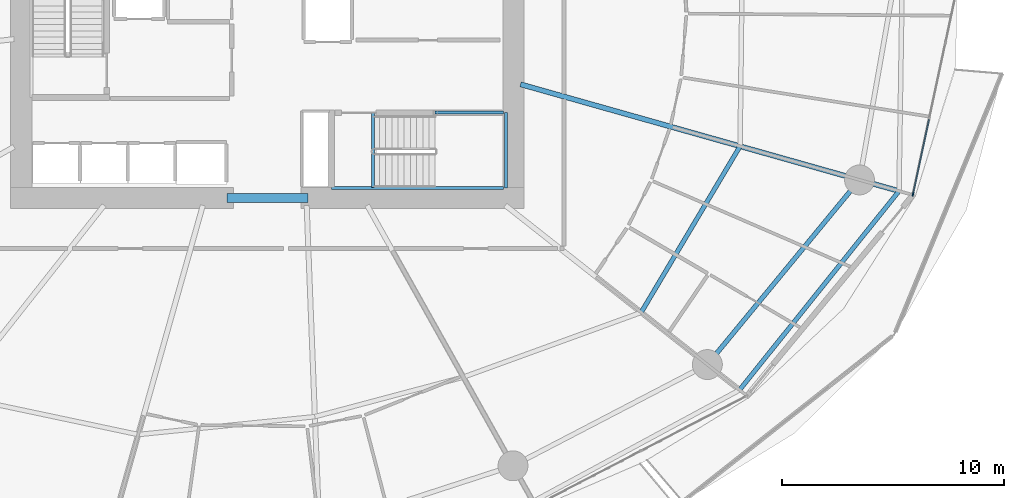
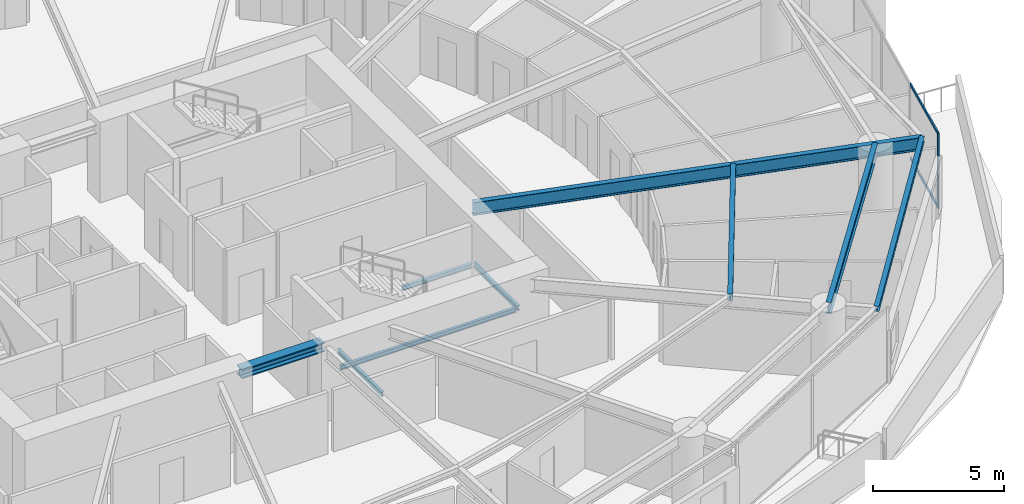
# One storey, part 10 of 32: 9 beams, 3 members, 1 element without a shape of its own.
"""IFC4 building model written with IfcOpenShell, lengths in metres."""

from ifc_helpers import new_model, si_unit, direction, frame, origin, origin_2d, place, context, subcontext, project, spatial, rectangle, i_section, extrude, material, layer, layer_set, material_profile, profile_set, type_object, element, aggregate, save


model = new_model("IFC4")

# Units and contexts
model_context = context("Model", 3, precision=1e-05, world=origin(), true_north=direction((0.0, 1.0)))
body_context = subcontext(model_context, "Body", "Model", "MODEL_VIEW")
ifc_project = project(units=[si_unit("LENGTHUNIT", "METRE"), si_unit("AREAUNIT", "SQUARE_METRE"), si_unit("VOLUMEUNIT", "CUBIC_METRE"), si_unit("PLANEANGLEUNIT", "RADIAN"), si_unit("MASSUNIT", "GRAM", prefix="KILO")], contexts=[model_context])

# Site, building, storey
site_placement = place(None, origin())
site = spatial("IfcSite", under=ifc_project, at=site_placement, CompositionType="ELEMENT")
building_placement = place(site_placement, origin())
building = spatial("IfcBuilding", under=site, at=building_placement, Name="Kazma Halo Residences", CompositionType="ELEMENT")
storey_placement = place(building_placement, frame((0.0, 0.0, 63.89990234375)))
storey = spatial("IfcBuildingStorey", under=building, at=storey_placement, Name="L15", CompositionType="ELEMENT", Elevation=63.89990234375)

# Beams
ifc_material_1 = material(Name="Steel S355", Category="steel")
ifc_material_profile_1 = material_profile(ifc_material_1, i_section(OverallWidth=0.201904296875, OverallDepth=0.2470703125, WebThickness=0.00732421875, FlangeThickness=0.010986328125, FilletRadius=0.011962890625, at=origin_2d()), Name="W250x49.1")
ifc_profile_set_1 = profile_set([ifc_material_profile_1], Name="Steel S355")
beam_type_1 = type_object("IfcBeamType", Name="BM-BAL-CANT", PredefinedType="BEAM", material=ifc_profile_set_1)
beam_1_placement = place(storey_placement, frame((69.728515625, 24.87060546875, 3.376708984375), z_axis=(0.625476617708, 0.780242911343, 0.0), x_axis=(-0.780242911343, 0.625476617708, 0.0)))
element("IfcBeam", 1, at=beam_1_placement, inside=storey, type_object=beam_type_1, Name="L15 wave-balcony tie beam 14", PredefinedType="BEAM", context=body_context, shape_type="SweptSolid", body=[
    extrude(i_section(OverallWidth=0.201904296875, OverallDepth=0.2470703125, WebThickness=0.00732421875, FlangeThickness=0.010986328125, FilletRadius=0.011962890625, at=origin_2d()), origin(), (0.0, 0.0, 1.0), 11.499755859375),
])
ifc_material_profile_2 = material_profile(ifc_material_1, i_section(OverallWidth=0.408935546875, OverallDepth=0.425048828125, WebThickness=0.03271484375, FlangeThickness=0.052490234375, FilletRadius=0.02001953125, at=origin_2d()), Name="W360x421")
ifc_profile_set_2 = profile_set([ifc_material_profile_2], Name="Steel S355")
beam_type_2 = type_object("IfcBeamType", Name="BM-CORE-W360H", PredefinedType="BEAM", material=ifc_profile_set_2)
beam_2_placement = place(storey_placement, frame((46.60009765625, 33.52490234375, 3.28759765625), z_axis=(1.0, 0.0, 0.0), x_axis=(0.0, 1.0, 0.0)))
element("IfcBeam", 2, at=beam_2_placement, inside=storey, type_object=beam_type_2, Name="L15 core coupling beam S", PredefinedType="BEAM", context=body_context, shape_type="SweptSolid", body=[
    extrude(i_section(OverallWidth=0.408935546875, OverallDepth=0.425048828125, WebThickness=0.03271484375, FlangeThickness=0.052490234375, FilletRadius=0.02001953125, at=origin_2d()), origin(), (0.0, 0.0, 1.0), 3.64990234375),
])
ifc_material_profile_3 = material_profile(ifc_material_1, i_section(OverallWidth=0.22802734375, OverallDepth=0.60791015625, WebThickness=0.01123046875, FlangeThickness=0.017333984375, FilletRadius=0.01806640625, at=origin_2d()), Name="W610x113")
ifc_profile_set_3 = profile_set([ifc_material_profile_3], Name="Steel S355")
beam_type_3 = type_object("IfcBeamType", Name="BM-RAD-W610", PredefinedType="BEAM", material=ifc_profile_set_3)
beam_3_placement = place(storey_placement, frame((59.85009765625, 38.657958984375, 3.196044921875), z_axis=(0.962453825278, -0.271445453468, 0.0), x_axis=(0.271445453468, 0.962453825278, 0.0)))
element("IfcBeam", 3, at=beam_3_placement, inside=storey, type_object=beam_type_3, Name="L15 radial floor beam 15", PredefinedType="BEAM", context=body_context, shape_type="SweptSolid", body=[
    extrude(i_section(OverallWidth=0.22802734375, OverallDepth=0.60791015625, WebThickness=0.01123046875, FlangeThickness=0.017333984375, FilletRadius=0.01806640625, at=origin_2d()), origin(), (0.0, 0.0, 1.0), 17.7373046875),
])
ifc_material_profile_4 = material_profile(ifc_material_1, i_section(OverallWidth=0.202880859375, OverallDepth=0.302978515625, WebThickness=0.007568359375, FlangeThickness=0.01318359375, FilletRadius=0.013916015625, at=origin_2d()), Name="W310x60")
ifc_profile_set_4 = profile_set([ifc_material_profile_4], Name="Steel S355")
beam_type_4 = type_object("IfcBeamType", Name="BM-SEC-W310A", PredefinedType="JOIST", material=ifc_profile_set_4)
beam_4_placement = place(storey_placement, frame((65.291015625, 28.368896484375, 3.3486328125), z_axis=(0.511331320511, 0.859383663252, 0.0), x_axis=(-0.859383663252, 0.511331320511, 0.0)))
element("IfcBeam", 4, at=beam_4_placement, inside=storey, type_object=beam_type_4, Name="L15 circumferential floor joist 14", PredefinedType="JOIST", context=body_context, shape_type="SweptSolid", body=[
    extrude(i_section(OverallWidth=0.202880859375, OverallDepth=0.302978515625, WebThickness=0.007568359375, FlangeThickness=0.01318359375, FilletRadius=0.013916015625, at=origin_2d()), origin(), (0.0, 0.0, 1.0), 8.72314453125),
])
ifc_material_profile_5 = material_profile(ifc_material_1, i_section(OverallWidth=0.208984375, OverallDepth=0.532958984375, WebThickness=0.01025390625, FlangeThickness=0.015625, FilletRadius=0.01611328125, at=origin_2d()), Name="W530x92")
ifc_profile_set_5 = profile_set([ifc_material_profile_5], Name="Steel S355")
beam_type_5 = type_object("IfcBeamType", Name="BM-SPN-W530", PredefinedType="BEAM", material=ifc_profile_set_5)
beam_5_placement = place(storey_placement, frame((68.27587890625, 26.015869140625, 3.233642578125), z_axis=(0.636001336663, 0.771687954916, 0.0), x_axis=(-0.771687954916, 0.636001336663, 0.0)))
element("IfcBeam", 5, at=beam_5_placement, inside=storey, type_object=beam_type_5, Name="L15 perimeter ring beam 14", PredefinedType="BEAM", context=body_context, shape_type="SweptSolid", body=[
    extrude(i_section(OverallWidth=0.208984375, OverallDepth=0.532958984375, WebThickness=0.01025390625, FlangeThickness=0.015625, FilletRadius=0.01611328125, at=origin_2d()), origin(), (0.0, 0.0, 1.0), 10.7939453125),
])
ifc_material_profile_6 = material_profile(ifc_material_1, i_section(OverallWidth=0.133056640625, OverallDepth=0.20703125, WebThickness=0.005859375, FlangeThickness=0.00830078125, FilletRadius=0.010009765625, at=origin_2d()), Name="W200x26.6")
ifc_profile_set_6 = profile_set([ifc_material_profile_6], Name="Steel S355")
beam_type_6 = type_object("IfcBeamType", Name="BM-TRIM-W200", PredefinedType="BEAM", material=ifc_profile_set_6)
beam_6_placement = place(storey_placement, frame((53.199951171875, 34.0, -0.35986328125), z_axis=(0.0, 1.0, 0.0), x_axis=(-1.0, 0.0, 0.0)))
element("IfcBeam", 6, at=beam_6_placement, inside=storey, type_object=beam_type_6, Name="L15 ST-03 floor landing support beam", PredefinedType="BEAM", context=body_context, shape_type="SweptSolid", body=[
    extrude(i_section(OverallWidth=0.133056640625, OverallDepth=0.20703125, WebThickness=0.005859375, FlangeThickness=0.00830078125, FilletRadius=0.010009765625, at=origin_2d()), origin(), (0.0, 0.0, 1.0), 3.3798828125),
])
beam_7_placement = place(storey_placement, frame((51.31005859375, 33.97998046875, 1.570068359375), z_axis=(1.0, 0.0, 0.0), x_axis=(0.0, 1.0, 0.0)))
element("IfcBeam", 7, at=beam_7_placement, inside=storey, type_object=beam_type_6, Name="L15 ST-03 landing south wall ledger", PredefinedType="BEAM", context=body_context, shape_type="SweptSolid", body=[
    extrude(i_section(OverallWidth=0.133056640625, OverallDepth=0.20703125, WebThickness=0.005859375, FlangeThickness=0.00830078125, FilletRadius=0.010009765625, at=origin_2d()), origin(), (0.0, 0.0, 1.0), 7.760009765625),
])
beam_8_placement = place(storey_placement, frame((56.0, 37.3798828125, 1.570068359375), z_axis=(1.0, 0.0, 0.0), x_axis=(0.0, 1.0, 0.0)))
element("IfcBeam", 8, at=beam_8_placement, inside=storey, type_object=beam_type_6, Name="L15 ST-03 landing north wall ledger", PredefinedType="BEAM", context=body_context, shape_type="SweptSolid", body=[
    extrude(i_section(OverallWidth=0.133056640625, OverallDepth=0.20703125, WebThickness=0.005859375, FlangeThickness=0.00830078125, FilletRadius=0.010009765625, at=origin_2d()), origin(), (0.0, 0.0, 1.0), 3.070068359375),
])
beam_9_placement = place(storey_placement, frame((59.18994140625, 33.97998046875, 1.570068359375), z_axis=(0.0, 1.0, 0.0), x_axis=(-1.0, 0.0, 0.0)))
element("IfcBeam", 9, at=beam_9_placement, inside=storey, type_object=beam_type_6, Name="L15 ST-03 landing end wall ledger", PredefinedType="BEAM", context=body_context, shape_type="SweptSolid", body=[
    extrude(i_section(OverallWidth=0.133056640625, OverallDepth=0.20703125, WebThickness=0.005859375, FlangeThickness=0.00830078125, FilletRadius=0.010009765625, at=origin_2d()), origin(), (0.0, 0.0, 1.0), 3.39990234375),
])

# Curtain wall, members
ifc_material_2 = material(Name="Aluminium AW-6063 T6 and Triple-Silver Low-E Glass", Category="aluminium")
ifc_layer = layer(ifc_material_2, 0.159912109375)
ifc_layer_set = layer_set([ifc_layer], Name="Aluminium AW-6063 T6 and Triple-Silver Low-E Glass")
curtain_wall_type = type_object("IfcCurtainWallType", Name="CW-SYS-2", PredefinedType="NOTDEFINED", material=ifc_layer_set)
curtain_wall_placement = place(storey_placement, origin())
curtain_wall = element("IfcCurtainWall", 10, at=curtain_wall_placement, inside=storey, type_object=curtain_wall_type, Name="L15 unitised curtain wall B15", PredefinedType="NOTDEFINED")
ifc_material_3 = material(Name="Aluminium AW-6063 T6", Category="aluminium")
ifc_material_profile_7 = material_profile(ifc_material_3, rectangle(XDim=0.06005859375, YDim=0.159912109375, at=origin_2d()), Name="CWM-60x160")
ifc_profile_set_7 = profile_set([ifc_material_profile_7], Name="Aluminium AW-6063 T6")
member_type_1 = type_object("IfcMemberType", Name="CW-SYS-2-MUL", PredefinedType="MULLION", material=ifc_profile_set_7)
member_1_placement = place(storey_placement, frame((77.552978515625, 33.6962890625, 0.0), z_axis=(0.0, 0.0, 1.0), x_axis=(-0.977779215096, 0.209637321406, 0.0)))
member_1 = element("IfcMember", 11, at=member_1_placement, type_object=member_type_1, Name="CWS-2 mullion 1", PredefinedType="MULLION", context=body_context, shape_type="SweptSolid", body=[
    extrude(rectangle(XDim=0.06005859375, YDim=0.159912109375, at=origin_2d()), origin(), (0.0, 0.0, 1.0), 3.5),
])
ifc_material_profile_8 = material_profile(ifc_material_3, rectangle(XDim=0.06005859375, YDim=0.1201171875, at=origin_2d()), Name="CWT-60x120")
ifc_profile_set_8 = profile_set([ifc_material_profile_8], Name="Aluminium AW-6063 T6")
member_type_2 = type_object("IfcMemberType", Name="CW-SYS-2-TRN", PredefinedType="USERDEFINED", material=ifc_profile_set_8)
member_2_placement = place(storey_placement, frame((77.559326171875, 33.7255859375, 0.030029296875), z_axis=(0.209650877007, 0.977776308657, 0.0), x_axis=(-0.977776308657, 0.209650877007, 0.0)))
member_2 = element("IfcMember", 12, at=member_2_placement, type_object=member_type_2, Name="CWS-2 transom 1.1", ObjectType="TRANSOM", PredefinedType="USERDEFINED", context=body_context, shape_type="SweptSolid", body=[
    extrude(rectangle(XDim=0.06005859375, YDim=0.1201171875, at=origin_2d()), origin(), (0.0, 0.0, 1.0), 3.422607421875),
])
member_3_placement = place(storey_placement, frame((77.559326171875, 33.7255859375, 3.47021484375), z_axis=(0.209650877007, 0.977776308657, 0.0), x_axis=(-0.977776308657, 0.209650877007, 0.0)))
member_3 = element("IfcMember", 13, at=member_3_placement, type_object=member_type_2, Name="CWS-2 transom 1.2", ObjectType="TRANSOM", PredefinedType="USERDEFINED", context=body_context, shape_type="SweptSolid", body=[
    extrude(rectangle(XDim=0.06005859375, YDim=0.1201171875, at=origin_2d()), origin(), (0.0, 0.0, 1.0), 3.422607421875),
])
aggregate(curtain_wall, [member_1, member_2, member_3])

save(model, "model.ifc")
